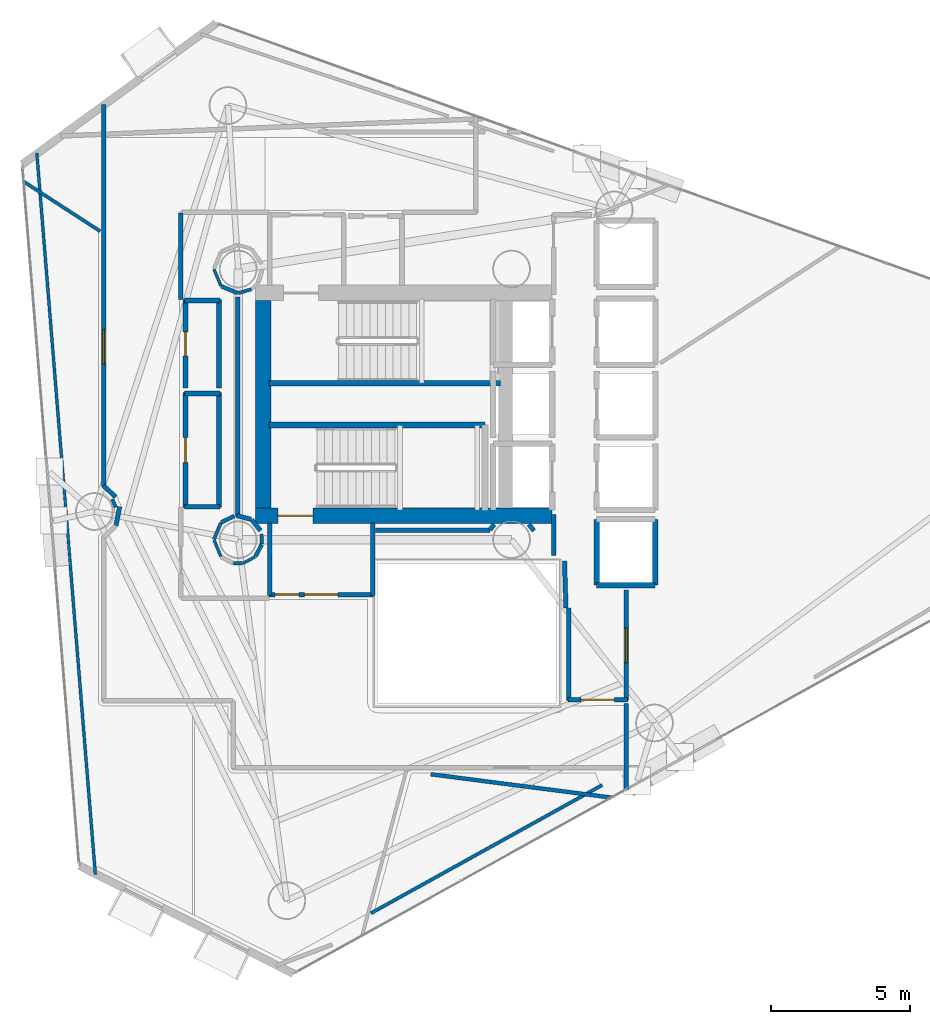
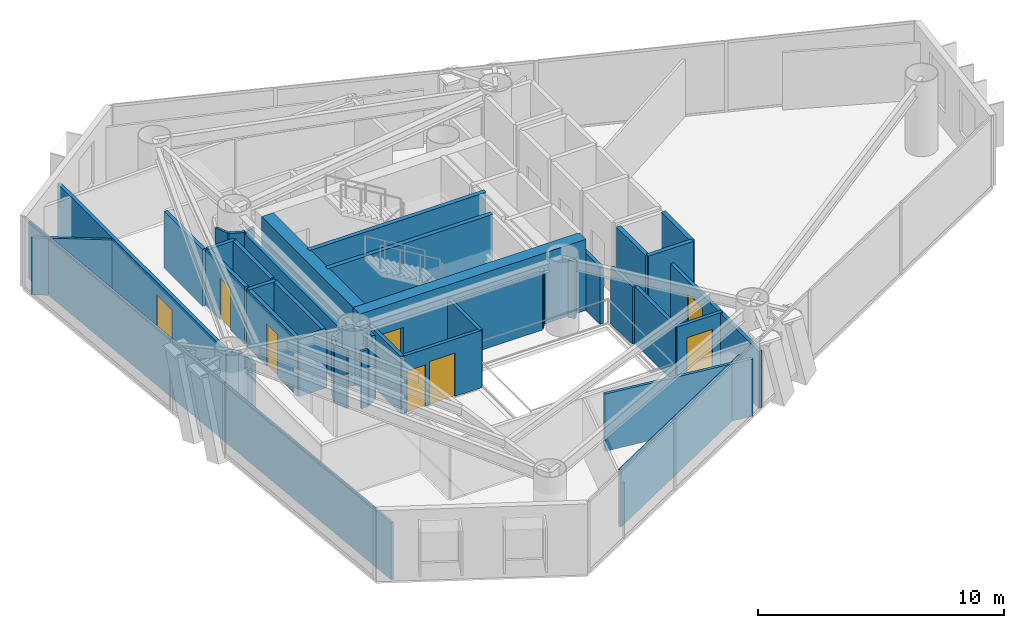
# One storey, part 18 of 21: 48 walls, 8 doors, 8 openings.
"""IFC4 building model written with IfcOpenShell, lengths in metres."""

from ifc_helpers import new_model, si_unit, direction, frame, frame_2d, origin, place, context, subcontext, project, spatial, rectangle, extrude, material, layer, layer_set, type_object, element, fill, save


model = new_model("IFC4")

# Units and contexts
model_context = context("Model", 3, precision=1e-05, world=origin(), true_north=direction((0.0, 1.0)))
body_context = subcontext(model_context, "Body", "Model", "MODEL_VIEW")
ifc_project = project(units=[si_unit("LENGTHUNIT", "METRE"), si_unit("AREAUNIT", "SQUARE_METRE"), si_unit("VOLUMEUNIT", "CUBIC_METRE"), si_unit("PLANEANGLEUNIT", "RADIAN"), si_unit("MASSUNIT", "GRAM", prefix="KILO")], contexts=[model_context])

# Site, building, storey
site_placement = place(None, origin())
site = spatial("IfcSite", under=ifc_project, at=site_placement, CompositionType="ELEMENT")
building_placement = place(site_placement, origin())
building = spatial("IfcBuilding", under=site, at=building_placement, Name="Qianvela Tower", CompositionType="ELEMENT")
storey_placement = place(building_placement, frame((0.0, 0.0, 166.10009765625)))
storey = spatial("IfcBuildingStorey", under=building, at=storey_placement, Name="L42", CompositionType="ELEMENT", Elevation=166.10009765625)

# Wall, opening, door
ifc_material_1 = material(Name="Concrete C60", Category="concrete")
ifc_layer_1 = layer(ifc_material_1, 0.550048828125)
ifc_layer_set_1 = layer_set([ifc_layer_1], Name="Concrete C60")
wall_type_1 = type_object("IfcWallType", Name="WT-CORE-550", PredefinedType="SHEAR", material=ifc_layer_set_1)
wall_1_placement = place(storey_placement, frame((29.22998046875, 24.705078125, 0.0), z_axis=(0.0, 0.0, 1.0), x_axis=(1.0, 0.0, 0.0)))
wall_1 = element("IfcWall", 1, at=wall_1_placement, inside=storey, type_object=wall_type_1, Name="L42 South Core Shear Wall", PredefinedType="SHEAR", context=body_context, shape_type="SweptSolid", body=[
    extrude(rectangle(XDim=10.6201171875, YDim=0.550048828125, at=frame_2d((5.31005859375, 0.0))), origin(), (0.0, 0.0, 1.0), 3.52001953125),
])
opening_1_placement = place(wall_1_placement, frame((0.794921875, 0.0, 0.0)))
opening_1 = element("IfcOpeningElement", 2, at=opening_1_placement, cuts=wall_1, Name="Opening D-ST1", PredefinedType="OPENING", context=body_context, shape_type="SweptSolid", body=[
    extrude(rectangle(XDim=1.25, YDim=2.14990234375, at=frame_2d((0.625, 1.074951171875))), frame((0.0, 0.284912109375, 0.0), z_axis=(0.0, -1.0, 0.0), x_axis=(1.0, 0.0, 0.0)), (0.0, 0.0, 1.0), 0.570068359375),
])
ifc_material_2 = material(Name="Galvanised Fire Steel Q355B", Category="steel")
door_type_1 = type_object("IfcDoorType", Name="DT-STAIR-FD90", OperationType="NOTDEFINED", PredefinedType="DOOR", material=ifc_material_2)
door_1_placement = place(opening_1_placement, origin())
door_1 = element("IfcDoor", 3, at=door_1_placement, inside=storey, type_object=door_type_1, Name="L42 Stair ST-2 Exit Door", OperationType="SINGLE_SWING_RIGHT", OverallHeight=2.14990234375, OverallWidth=1.25, PredefinedType="DOOR", context=body_context, shape_type="SweptSolid", body=[
    extrude(rectangle(XDim=1.25, YDim=2.14990234375, at=frame_2d((0.625, 1.074951171875))), frame((0.0, 0.02490234375, 0.0), z_axis=(0.0, -1.0, 0.0), x_axis=(1.0, 0.0, 0.0)), (0.0, 0.0, 1.0), 0.050048828125),
])
fill(opening_1, door_1)

# Wall
wall_2_placement = place(storey_placement, frame((29.5048828125, 24.97998046875, 0.0), z_axis=(0.0, 0.0, 1.0), x_axis=(0.0, 1.0, 0.0)))
element("IfcWall", 4, at=wall_2_placement, inside=storey, type_object=wall_type_1, Name="L42 West Core Shear Wall", PredefinedType="SHEAR", context=body_context, shape_type="SweptSolid", body=[
    extrude(rectangle(XDim=7.43994140625, YDim=0.550048828125, at=frame_2d((3.719970703125, 0.0))), origin(), (0.0, 0.0, 1.0), 3.52001953125),
])

# Wall, openings, doors
ifc_material_3 = material(Name="Fire-Rated Gypsum and Concrete Block", Category="concrete")
ifc_layer_2 = layer(ifc_material_3, 0.159912109375)
ifc_layer_set_2 = layer_set([ifc_layer_2], Name="Fire-Rated Gypsum and Concrete Block")
wall_type_2 = type_object("IfcWallType", Name="WT-CORR-160", PredefinedType="PARTITIONING", material=ifc_layer_set_2)
wall_3_placement = place(storey_placement, frame((33.449951171875, 21.881103515625, 0.0), z_axis=(0.0, 0.0, 1.0), x_axis=(-1.0, 0.0, 0.0)))
wall_3 = element("IfcWall", 5, at=wall_3_placement, inside=storey, type_object=wall_type_2, Name="L42 Partition 5", PredefinedType="PARTITIONING", context=body_context, shape_type="SweptSolid", body=[
    extrude(rectangle(XDim=3.75, YDim=0.159912109375, at=frame_2d((1.875, 0.0))), origin(), (0.0, 0.0, 1.0), 2.83984375),
])
opening_2_placement = place(wall_3_placement, frame((1.27490234375, 0.0, 0.0)))
opening_2 = element("IfcOpeningElement", 6, at=opening_2_placement, cuts=wall_3, Name="Opening D-LB1", PredefinedType="OPENING", context=body_context, shape_type="SweptSolid", body=[
    extrude(rectangle(XDim=1.199951171875, YDim=2.14990234375, at=frame_2d((0.60009765625, 1.074951171875))), frame((0.0, 0.08984375, 0.0), z_axis=(0.0, -1.0, 0.0), x_axis=(1.0, 0.0, 0.0)), (0.0, 0.0, 1.0), 0.179931640625),
])
opening_3_placement = place(wall_3_placement, frame((2.659912109375, 0.0, 0.0)))
opening_3 = element("IfcOpeningElement", 7, at=opening_3_placement, cuts=wall_3, Name="Opening D-LB2", PredefinedType="OPENING", context=body_context, shape_type="SweptSolid", body=[
    extrude(rectangle(XDim=0.860107421875, YDim=2.050048828125, at=frame_2d((0.43017578125, 1.02490234375))), frame((0.0, 0.08984375, 0.0), z_axis=(0.0, -1.0, 0.0), x_axis=(1.0, 0.0, 0.0)), (0.0, 0.0, 1.0), 0.179931640625),
])
ifc_material_4 = material(Name="Glazed Fire-Rated Steel Frame", Category="steel")
door_type_2 = type_object("IfcDoorType", Name="DT-LOBBY-FD90", OperationType="NOTDEFINED", PredefinedType="DOOR", material=ifc_material_4)
door_2_placement = place(opening_2_placement, origin())
door_2 = element("IfcDoor", 8, at=door_2_placement, inside=storey, type_object=door_type_2, Name="L42 Door L42 Firefighting Lobby South to L42 Floor Corridor", OperationType="SINGLE_SWING_LEFT", OverallHeight=2.14990234375, OverallWidth=1.199951171875, PredefinedType="DOOR", context=body_context, shape_type="SweptSolid", body=[
    extrude(rectangle(XDim=1.199951171875, YDim=2.14990234375, at=frame_2d((0.60009765625, 1.074951171875))), frame((0.0, 0.02490234375, 0.0), z_axis=(0.0, -1.0, 0.0), x_axis=(1.0, 0.0, 0.0)), (0.0, 0.0, 1.0), 0.050048828125),
])
fill(opening_2, door_2)
ifc_material_5 = material(Name="Insulated Steel Fire Door Q355B", Category="steel")
door_type_3 = type_object("IfcDoorType", Name="DT-LOBBY-FD90-860", OperationType="NOTDEFINED", PredefinedType="DOOR", material=ifc_material_5)
door_3_placement = place(opening_3_placement, origin())
door_3 = element("IfcDoor", 9, at=door_3_placement, inside=storey, type_object=door_type_3, Name="L42 Door L42 Firefighting Lobby South to L42 Floor Corridor", OperationType="SINGLE_SWING_LEFT", OverallHeight=2.050048828125, OverallWidth=0.860107421875, PredefinedType="DOOR", context=body_context, shape_type="SweptSolid", body=[
    extrude(rectangle(XDim=0.860107421875, YDim=2.050048828125, at=frame_2d((0.43017578125, 1.02490234375))), frame((0.0, 0.02490234375, 0.0), z_axis=(0.0, -1.0, 0.0), x_axis=(1.0, 0.0, 0.0)), (0.0, 0.0, 1.0), 0.050048828125),
])
fill(opening_3, door_3)

# Walls
for number, where, z_axis, x_axis, name in (
    (10, (29.73095703125, 21.85009765625, 0.0), (0.0, 0.0, 1.0), (0.0, 1.0, 0.0), "L42 Partition 6"),
    (11, (33.4189453125, 24.44189453125, 0.0), (0.0, 0.0, 1.0), (0.0, -1.0, 0.0), "L42 Partition 8"),
):
    element("IfcWall", number, at=place(storey_placement, frame(where, z_axis=z_axis, x_axis=x_axis)), inside=storey, type_object=wall_type_2, Name=name, PredefinedType="PARTITIONING", context=body_context, shape_type="SweptSolid", body=[
        extrude(rectangle(XDim=2.591796875, YDim=0.159912109375, at=frame_2d((1.2958984375, 0.0))), origin(), (0.0, 0.0, 1.0), 2.83984375),
    ])
wall_4_placement = place(storey_placement, frame((40.35107421875, 21.40087890625, 0.0), z_axis=(0.0, 0.0, 1.0), x_axis=(-0.031058045979, 0.999517582527, 0.0)))
element("IfcWall", 12, at=wall_4_placement, inside=storey, type_object=wall_type_2, Name="L42 Partition 9", PredefinedType="PARTITIONING", context=body_context, shape_type="SweptSolid", body=[
    extrude(rectangle(XDim=1.68212890625, YDim=0.159912109375, at=frame_2d((0.841064453125, 0.0))), origin(), (0.0, 0.0, 1.0), 2.83984375),
])
wall_5_placement = place(storey_placement, frame((39.910888671875, 23.280029296875, 0.0), z_axis=(0.0, 0.0, 1.0), x_axis=(0.0, 1.0, 0.0)))
element("IfcWall", 13, at=wall_5_placement, inside=storey, type_object=wall_type_2, Name="L42 Partition 10", PredefinedType="PARTITIONING", context=body_context, shape_type="SweptSolid", body=[
    extrude(rectangle(XDim=1.47998046875, YDim=0.159912109375, at=frame_2d((0.739990234375, 0.0))), origin(), (0.0, 0.0, 1.0), 2.83984375),
])

# Wall, opening, door
wall_6_placement = place(storey_placement, frame((42.51904296875, 22.050048828125, 0.0), z_axis=(0.0, 0.0, 1.0), x_axis=(0.0, -1.0, 0.0)))
wall_6 = element("IfcWall", 14, at=wall_6_placement, inside=storey, type_object=wall_type_2, Name="L42 Partition 17", PredefinedType="PARTITIONING", context=body_context, shape_type="SweptSolid", body=[
    extrude(rectangle(XDim=3.969970703125, YDim=0.159912109375, at=frame_2d((1.98486328125, 0.0))), origin(), (0.0, 0.0, 1.0), 2.83984375),
])
opening_4_placement = place(wall_6_placement, frame((1.360107421875, 0.0, 0.0)))
opening_4 = element("IfcOpeningElement", 15, at=opening_4_placement, cuts=wall_6, Name="Opening D-LG1", PredefinedType="OPENING", context=body_context, shape_type="SweptSolid", body=[
    extrude(rectangle(XDim=1.25, YDim=2.199951171875, at=frame_2d((0.625, 1.10009765625))), frame((0.0, 0.08984375, 0.0), z_axis=(0.0, -1.0, 0.0), x_axis=(1.0, 0.0, 0.0)), (0.0, 0.0, 1.0), 0.179931640625),
])
ifc_material_6 = material(Name="Anodised Aluminium Acoustic Glass Door", Category="aluminium")
door_type_4 = type_object("IfcDoorType", Name="DT-LOUNGE-1250", OperationType="NOTDEFINED", PredefinedType="DOOR", material=ifc_material_6)
door_4_placement = place(opening_4_placement, origin())
door_4 = element("IfcDoor", 16, at=door_4_placement, inside=storey, type_object=door_type_4, Name="L42 Door Project Huddle Conference L42-03 to L42 Lift Lobby", OperationType="SINGLE_SWING_RIGHT", OverallHeight=2.199951171875, OverallWidth=1.25, PredefinedType="DOOR", context=body_context, shape_type="SweptSolid", body=[
    extrude(rectangle(XDim=1.25, YDim=2.199951171875, at=frame_2d((0.625, 1.10009765625))), frame((0.0, 0.02490234375, 0.0), z_axis=(0.0, -1.0, 0.0), x_axis=(1.0, 0.0, 0.0)), (0.0, 0.0, 1.0), 0.050048828125),
])
fill(opening_4, door_4)

wall_7_placement = place(storey_placement, frame((42.550048828125, 18.111083984375, 0.0), z_axis=(0.0, 0.0, 1.0), x_axis=(-1.0, 0.0, 0.0)))
wall_7 = element("IfcWall", 17, at=wall_7_placement, inside=storey, type_object=wall_type_2, Name="L42 Partition 18", PredefinedType="PARTITIONING", context=body_context, shape_type="SweptSolid", body=[
    extrude(rectangle(XDim=2.130126953125, YDim=0.159912109375, at=frame_2d((1.06494140625, 0.0))), origin(), (0.0, 0.0, 1.0), 2.83984375),
])
opening_5_placement = place(wall_7_placement, frame((0.465087890625, 0.0, 0.0)))
opening_5 = element("IfcOpeningElement", 18, at=opening_5_placement, cuts=wall_7, Name="Opening D-LB1", PredefinedType="OPENING", context=body_context, shape_type="SweptSolid", body=[
    extrude(rectangle(XDim=1.199951171875, YDim=2.14990234375, at=frame_2d((0.60009765625, 1.074951171875))), frame((0.0, 0.08984375, 0.0), z_axis=(0.0, -1.0, 0.0), x_axis=(1.0, 0.0, 0.0)), (0.0, 0.0, 1.0), 0.179931640625),
])
door_5_placement = place(opening_5_placement, origin())
door_5 = element("IfcDoor", 19, at=door_5_placement, inside=storey, type_object=door_type_2, Name="L42 Door L42 Lift Lobby to L42 Floor Corridor", OperationType="SINGLE_SWING_RIGHT", OverallHeight=2.14990234375, OverallWidth=1.199951171875, PredefinedType="DOOR", context=body_context, shape_type="SweptSolid", body=[
    extrude(rectangle(XDim=1.199951171875, YDim=2.14990234375, at=frame_2d((0.60009765625, 1.074951171875))), frame((0.0, 0.02490234375, 0.0), z_axis=(0.0, -1.0, 0.0), x_axis=(1.0, 0.0, 0.0)), (0.0, 0.0, 1.0), 0.050048828125),
])
fill(opening_5, door_5)

# Walls
wall_8_placement = place(storey_placement, frame((40.450927734375, 18.080078125, 0.0), z_axis=(0.0, 0.0, 1.0), x_axis=(0.0, 1.0, 0.0)))
element("IfcWall", 20, at=wall_8_placement, inside=storey, type_object=wall_type_2, Name="L42 Partition 19 seg 1", PredefinedType="PARTITIONING", context=body_context, shape_type="SweptSolid", body=[
    extrude(rectangle(XDim=3.31982421875, YDim=0.159912109375, at=frame_2d((1.659912109375, 0.0))), origin(), (0.0, 0.0, 1.0), 2.83984375),
])
wall_9_placement = place(storey_placement, frame((29.401611328125, 24.169189453125, 0.0), z_axis=(0.0, 0.0, 1.0), x_axis=(-0.622091855036, 0.782944266151, 0.0)))
element("IfcWall", 21, at=wall_9_placement, inside=storey, type_object=wall_type_2, Name="L42 Partition 36", PredefinedType="PARTITIONING", context=body_context, shape_type="SweptSolid", body=[
    extrude(rectangle(XDim=0.50390625, YDim=0.159912109375, at=frame_2d((0.251953125, 0.0))), origin(), (0.0, 0.0, 1.0), 2.83984375),
])
wall_10_placement = place(storey_placement, frame((29.07177734375, 24.57421875, 0.0), z_axis=(0.0, 0.0, 1.0), x_axis=(-0.966842101769, 0.255374920942, 0.0)))
element("IfcWall", 22, at=wall_10_placement, inside=storey, type_object=wall_type_2, Name="L42 Partition 37", PredefinedType="PARTITIONING", context=body_context, shape_type="SweptSolid", body=[
    extrude(rectangle(XDim=0.531494140625, YDim=0.159912109375, at=frame_2d((0.265625, 0.0))), origin(), (0.0, 0.0, 1.0), 2.83984375),
])
wall_11_placement = place(storey_placement, frame((28.5810546875, 24.68017578125, 0.0), z_axis=(0.0, 0.0, 1.0), x_axis=(0.0, 1.0, 0.0)))
element("IfcWall", 23, at=wall_11_placement, inside=storey, type_object=wall_type_2, Name="L42 Partition 38", PredefinedType="PARTITIONING", context=body_context, shape_type="SweptSolid", body=[
    extrude(rectangle(XDim=7.869873046875, YDim=0.159912109375, at=frame_2d((3.93505859375, 0.0))), origin(), (0.0, 0.0, 1.0), 2.83984375),
])
wall_12_placement = place(storey_placement, frame((39.20166015625, 24.169189453125, 0.0), z_axis=(0.0, 0.0, 1.0), x_axis=(-0.621699046284, 0.783256213413, 0.0)))
element("IfcWall", 24, at=wall_12_placement, inside=storey, type_object=wall_type_2, Name="L42 Partition 43", PredefinedType="PARTITIONING", context=body_context, shape_type="SweptSolid", body=[
    extrude(rectangle(XDim=0.28857421875, YDim=0.159912109375, at=frame_2d((0.144287109375, 0.0))), origin(), (0.0, 0.0, 1.0), 2.83984375),
])
wall_13_placement = place(storey_placement, frame((37.77783203125, 24.395263671875, 0.0), z_axis=(0.0, 0.0, 1.0), x_axis=(-0.621829236437, -0.783152859097, 0.0)))
element("IfcWall", 25, at=wall_13_placement, inside=storey, type_object=wall_type_2, Name="L42 Partition 46", PredefinedType="PARTITIONING", context=body_context, shape_type="SweptSolid", body=[
    extrude(rectangle(XDim=0.249755859375, YDim=0.159912109375, at=frame_2d((0.125, 0.0))), origin(), (0.0, 0.0, 1.0), 2.83984375),
])
wall_14_placement = place(storey_placement, frame((37.62255859375, 24.180908203125, 0.0), z_axis=(0.0, 0.0, 1.0), x_axis=(-1.0, 0.0, 0.0)))
element("IfcWall", 26, at=wall_14_placement, inside=storey, type_object=wall_type_2, Name="L42 Partition 47", PredefinedType="PARTITIONING", context=body_context, shape_type="SweptSolid", body=[
    extrude(rectangle(XDim=4.092529296875, YDim=0.159912109375, at=frame_2d((2.04638671875, 0.0))), origin(), (0.0, 0.0, 1.0), 2.83984375),
])
wall_15_placement = place(storey_placement, frame((24.211181640625, 25.37890625, 0.0), z_axis=(0.0, 0.0, 1.0), x_axis=(-0.735475561179, 0.677551251868, 0.0)))
element("IfcWall", 27, at=wall_15_placement, inside=storey, type_object=wall_type_2, Name="L42 Partition 48", PredefinedType="PARTITIONING", context=body_context, shape_type="SweptSolid", body=[
    extrude(rectangle(XDim=0.598388671875, YDim=0.159912109375, at=frame_2d((0.29931640625, 0.0))), origin(), (0.0, 0.0, 1.0), 2.83984375),
])

# Wall, opening, door
wall_16_placement = place(storey_placement, frame((23.781005859375, 25.76171875, 0.0), z_axis=(0.0, 0.0, 1.0), x_axis=(0.0, 1.0, 0.0)))
wall_16 = element("IfcWall", 28, at=wall_16_placement, inside=storey, type_object=wall_type_2, Name="L42 Partition 49", PredefinedType="PARTITIONING", context=body_context, shape_type="SweptSolid", body=[
    extrude(rectangle(XDim=13.68798828125, YDim=0.159912109375, at=frame_2d((6.843994140625, 0.0))), origin(), (0.0, 0.0, 1.0), 2.83984375),
])
opening_6_placement = place(wall_16_placement, frame((4.370849609375, 0.0, 0.0)))
opening_6 = element("IfcOpeningElement", 29, at=opening_6_placement, cuts=wall_16, Name="Opening D-LG1", PredefinedType="OPENING", context=body_context, shape_type="SweptSolid", body=[
    extrude(rectangle(XDim=1.25, YDim=2.199951171875, at=frame_2d((0.625, 1.10009765625))), frame((0.0, 0.08984375, 0.0), z_axis=(0.0, -1.0, 0.0), x_axis=(1.0, 0.0, 0.0)), (0.0, 0.0, 1.0), 0.179931640625),
])
door_6_placement = place(opening_6_placement, origin())
door_6 = element("IfcDoor", 30, at=door_6_placement, inside=storey, type_object=door_type_4, Name="L42 Door Graduate Seminar Classroom L42-01 to L42 Floor Corridor", OperationType="SINGLE_SWING_RIGHT", OverallHeight=2.199951171875, OverallWidth=1.25, PredefinedType="DOOR", context=body_context, shape_type="SweptSolid", body=[
    extrude(rectangle(XDim=1.25, YDim=2.199951171875, at=frame_2d((0.625, 1.10009765625))), frame((0.0, 0.02490234375, 0.0), z_axis=(0.0, -1.0, 0.0), x_axis=(1.0, 0.0, 0.0)), (0.0, 0.0, 1.0), 0.050048828125),
])
fill(opening_6, door_6)

# Walls
wall_17_placement = place(storey_placement, frame((26.549072265625, 35.56005859375, 0.0), z_axis=(0.0, 0.0, 1.0), x_axis=(0.0, -1.0, 0.0)))
element("IfcWall", 31, at=wall_17_placement, inside=storey, type_object=wall_type_2, Name="L42 Partition 53 seg 1", PredefinedType="PARTITIONING", context=body_context, shape_type="SweptSolid", body=[
    extrude(rectangle(XDim=3.110107421875, YDim=0.159912109375, at=frame_2d((1.55517578125, 0.0))), origin(), (0.0, 0.0, 1.0), 2.83984375),
])
wall_18_placement = place(storey_placement, frame((42.51904296875, 17.97998046875, 0.0), z_axis=(0.0, 0.0, 1.0), x_axis=(0.0, -1.0, 0.0)))
element("IfcWall", 32, at=wall_18_placement, inside=storey, type_object=wall_type_2, Name="L42 Partition 56 seg 1", PredefinedType="PARTITIONING", context=body_context, shape_type="SweptSolid", body=[
    extrude(rectangle(XDim=3.095458984375, YDim=0.159912109375, at=frame_2d((1.5478515625, 0.0))), origin(), (0.0, 0.0, 1.0), 2.83984375),
])
wall_19_placement = place(storey_placement, frame((24.220703125, 24.355712890625, 0.0), z_axis=(0.0, 0.0, 1.0), x_axis=(0.19495084259, 0.980813014276, 0.0)))
element("IfcWall", 33, at=wall_19_placement, inside=storey, type_object=wall_type_2, Name="L42 Partition 62", PredefinedType="PARTITIONING", context=body_context, shape_type="SweptSolid", body=[
    extrude(rectangle(XDim=0.68505859375, YDim=0.159912109375, at=frame_2d((0.342529296875, 0.0))), origin(), (0.0, 0.0, 1.0), 2.83984375),
])
ifc_material_7 = material(Name="Lightweight Gypsum Room Partition")
ifc_layer_3 = layer(ifc_material_7, 0.10498046875)
ifc_layer_set_3 = layer_set([ifc_layer_3], Name="Lightweight Gypsum Room Partition")
wall_type_3 = type_object("IfcWallType", Name="WT-PART-105", PredefinedType="PARTITIONING", material=ifc_layer_set_3)
wall_20_placement = place(storey_placement, frame((23.48291015625, 11.8466796875, 0.0), z_axis=(0.0, 0.0, 1.0), x_axis=(-0.080903032821, 0.996721976923, 0.0)))
element("IfcWall", 34, at=wall_20_placement, inside=storey, type_object=wall_type_3, Name="L42 Partition 76", PredefinedType="PARTITIONING", context=body_context, shape_type="SweptSolid", body=[
    extrude(rectangle(XDim=25.946044921875, YDim=0.10498046875, at=frame_2d((12.97314453125, 0.0))), origin(), (0.0, 0.0, 1.0), 2.83984375),
])
for number, where, z_axis, x_axis, name in (
    (35, (27.736328125, 33.5380859375, 0.0), (0.0, 0.0, 1.0), (0.382824178437, -0.923821221018, 0.0), "L42 Partition 115"),
    (36, (27.736328125, 23.838134765625, 0.0), (0.0, 0.0, 1.0), (0.382824178437, -0.923821221018, 0.0), "L42 Partition 124"),
):
    element("IfcWall", number, at=place(storey_placement, frame(where, z_axis=z_axis, x_axis=x_axis)), inside=storey, type_object=wall_type_3, Name=name, PredefinedType="PARTITIONING", context=body_context, shape_type="SweptSolid", body=[
        extrude(rectangle(XDim=0.638916015625, YDim=0.10498046875, at=frame_2d((0.3193359375, 0.0))), origin(), (0.0, 0.0, 1.0), 2.83984375),
    ])
wall_21_placement = place(storey_placement, frame((28.777587890625, 23.003662109375, 0.0), z_axis=(0.0, 0.0, 1.0), x_axis=(0.88190639713, 0.471424550379, 0.0)))
element("IfcWall", 37, at=wall_21_placement, inside=storey, type_object=wall_type_3, Name="L42 Partition 127", PredefinedType="PARTITIONING", context=body_context, shape_type="SweptSolid", body=[
    extrude(rectangle(XDim=0.484619140625, YDim=0.10498046875, at=frame_2d((0.2421875, 0.0))), origin(), (0.0, 0.0, 1.0), 2.83984375),
])
ifc_material_8 = material(Name="Insulated Gypsum Stud Partition")
ifc_layer_4 = layer(ifc_material_8, 0.1201171875)
ifc_layer_set_4 = layer_set([ifc_layer_4], Name="Insulated Gypsum Stud Partition")
wall_type_4 = type_object("IfcWallType", Name="WT-PART-120", PredefinedType="PARTITIONING", material=ifc_layer_set_4)
wall_22_placement = place(storey_placement, frame((20.8974609375, 36.69482421875, 0.0), z_axis=(0.0, 0.0, 1.0), x_axis=(0.838665935268, -0.544646168647, 0.0)))
element("IfcWall", 38, at=wall_22_placement, inside=storey, type_object=wall_type_4, Name="L42 Partition 63", PredefinedType="PARTITIONING", context=body_context, shape_type="SweptSolid", body=[
    extrude(rectangle(XDim=3.28564453125, YDim=0.1201171875, at=frame_2d((1.642822265625, 0.0))), origin(), (0.0, 0.0, 1.0), 2.83984375),
])
wall_23_placement = place(storey_placement, frame((24.09228515625, 25.302734375, 0.0), z_axis=(0.0, 0.0, 1.0), x_axis=(0.38223992348, -0.924063115213, 0.0)))
element("IfcWall", 39, at=wall_23_placement, inside=storey, type_object=wall_type_4, Name="L42 Partition 66", PredefinedType="PARTITIONING", context=body_context, shape_type="SweptSolid", body=[
    extrude(rectangle(XDim=0.3212890625, YDim=0.1201171875, at=frame_2d((0.16064453125, 0.0))), origin(), (0.0, 0.0, 1.0), 2.83984375),
])
wall_24_placement = place(storey_placement, frame((41.652099609375, 15.053955078125, 0.0), z_axis=(0.0, 0.0, 1.0), x_axis=(-0.874683741707, -0.484694080832, 0.0)))
element("IfcWall", 40, at=wall_24_placement, inside=storey, type_object=wall_type_4, Name="L42 Partition 78", PredefinedType="PARTITIONING", context=body_context, shape_type="SweptSolid", body=[
    extrude(rectangle(XDim=9.484130859375, YDim=0.1201171875, at=frame_2d((4.7421875, 0.0))), origin(), (0.0, 0.0, 1.0), 2.83984375),
])
wall_25_placement = place(storey_placement, frame((28.60888671875, 32.685302734375, 0.0), z_axis=(0.0, 0.0, 1.0), x_axis=(0.956893067978, 0.290440452511, 0.0)))
element("IfcWall", 41, at=wall_25_placement, inside=storey, type_object=wall_type_4, Name="L42 Partition 117", PredefinedType="PARTITIONING", context=body_context, shape_type="SweptSolid", body=[
    extrude(rectangle(XDim=0.485107421875, YDim=0.1201171875, at=frame_2d((0.24267578125, 0.0))), origin(), (0.0, 0.0, 1.0), 2.83984375),
])
wall_26_placement = place(storey_placement, frame((27.98095703125, 24.452392578125, 0.0), z_axis=(0.0, 0.0, 1.0), x_axis=(-0.38268910224, -0.923877183952, 0.0)))
element("IfcWall", 42, at=wall_26_placement, inside=storey, type_object=wall_type_4, Name="L42 Partition 123", PredefinedType="PARTITIONING", context=body_context, shape_type="SweptSolid", body=[
    extrude(rectangle(XDim=0.63916015625, YDim=0.1201171875, at=frame_2d((0.319580078125, 0.0))), origin(), (0.0, 0.0, 1.0), 2.83984375),
])
wall_27_placement = place(storey_placement, frame((28.43701171875, 23.0, 0.0), z_axis=(0.0, 0.0, 1.0), x_axis=(1.0, 0.0, 0.0)))
element("IfcWall", 43, at=wall_27_placement, inside=storey, type_object=wall_type_4, Name="L42 Partition 126", PredefinedType="PARTITIONING", context=body_context, shape_type="SweptSolid", body=[
    extrude(rectangle(XDim=0.325927734375, YDim=0.1201171875, at=frame_2d((0.1630859375, 0.0))), origin(), (0.0, 0.0, 1.0), 2.83984375),
])
wall_28_placement = place(storey_placement, frame((29.449951171875, 23.68798828125, 0.0), z_axis=(0.0, 0.0, 1.0), x_axis=(-0.030919976938, 0.999521863206, 0.0)))
element("IfcWall", 44, at=wall_28_placement, inside=storey, type_object=wall_type_4, Name="L42 Partition 129", PredefinedType="PARTITIONING", context=body_context, shape_type="SweptSolid", body=[
    extrude(rectangle(XDim=0.36328125, YDim=0.1201171875, at=frame_2d((0.181640625, 0.0))), origin(), (0.0, 0.0, 1.0), 2.83984375),
])

# Wall, opening, door
ifc_material_9 = material(Name="Moisture-Resistant Acoustic Plumbing Wall")
ifc_layer_5 = layer(ifc_material_9, 0.175048828125)
ifc_layer_set_5 = layer_set([ifc_layer_5], Name="Moisture-Resistant Acoustic Plumbing Wall")
wall_type_5 = type_object("IfcWallType", Name="WT-PLUMB-175", PredefinedType="PLUMBINGWALL", material=ifc_layer_set_5)
wall_29_placement = place(storey_placement, frame((26.7109375, 25.0, 0.0), z_axis=(0.0, 0.0, 1.0), x_axis=(0.0, 1.0, 0.0)))
wall_29 = element("IfcWall", 45, at=wall_29_placement, inside=storey, type_object=wall_type_5, Name="L42 Partition 24", PredefinedType="PLUMBINGWALL", context=body_context, shape_type="SweptSolid", body=[
    extrude(rectangle(XDim=4.1201171875, YDim=0.175048828125, at=frame_2d((2.06005859375, 0.0))), origin(), (0.0, 0.0, 1.0), 2.83984375),
])
opening_7_placement = place(wall_29_placement, frame((1.610107421875, 0.0, 0.0)))
opening_7 = element("IfcOpeningElement", 46, at=opening_7_placement, cuts=wall_29, Name="Opening D-KT1", PredefinedType="OPENING", context=body_context, shape_type="SweptSolid", body=[
    extrude(rectangle(XDim=0.89990234375, YDim=2.10009765625, at=frame_2d((0.449951171875, 1.050048828125))), frame((0.0, 0.097412109375, 0.0), z_axis=(0.0, -1.0, 0.0), x_axis=(1.0, 0.0, 0.0)), (0.0, 0.0, 1.0), 0.195068359375),
])
ifc_material_10 = material(Name="Glazed Timber Kitchen Door", Category="wood")
door_type_5 = type_object("IfcDoorType", Name="DT-KITCH-900", OperationType="NOTDEFINED", PredefinedType="DOOR", material=ifc_material_10)
door_7_placement = place(opening_7_placement, origin())
door_7 = element("IfcDoor", 47, at=door_7_placement, inside=storey, type_object=door_type_5, Name="L42 Door L42 Core Tea Pantry West to L42 Floor Corridor", OperationType="SINGLE_SWING_RIGHT", OverallHeight=2.10009765625, OverallWidth=0.89990234375, PredefinedType="DOOR", context=body_context, shape_type="SweptSolid", body=[
    extrude(rectangle(XDim=0.89990234375, YDim=2.10009765625, at=frame_2d((0.449951171875, 1.050048828125))), frame((0.0, 0.02490234375, 0.0), z_axis=(0.0, -1.0, 0.0), x_axis=(1.0, 0.0, 0.0)), (0.0, 0.0, 1.0), 0.050048828125),
])
fill(opening_7, door_7)

# Walls
wall_30_placement = place(storey_placement, frame((26.679931640625, 29.089111328125, 0.0), z_axis=(0.0, 0.0, 1.0), x_axis=(1.0, 0.0, 0.0)))
element("IfcWall", 48, at=wall_30_placement, inside=storey, type_object=wall_type_5, Name="L42 Partition 25", PredefinedType="PLUMBINGWALL", context=body_context, shape_type="SweptSolid", body=[
    extrude(rectangle(XDim=1.27001953125, YDim=0.175048828125, at=frame_2d((0.635009765625, 0.0))), origin(), (0.0, 0.0, 1.0), 2.83984375),
])
wall_31_placement = place(storey_placement, frame((27.9189453125, 29.1201171875, 0.0), z_axis=(0.0, 0.0, 1.0), x_axis=(0.0, -1.0, 0.0)))
element("IfcWall", 49, at=wall_31_placement, inside=storey, type_object=wall_type_5, Name="L42 Partition 26", PredefinedType="PLUMBINGWALL", context=body_context, shape_type="SweptSolid", body=[
    extrude(rectangle(XDim=4.1201171875, YDim=0.175048828125, at=frame_2d((2.06005859375, 0.0))), origin(), (0.0, 0.0, 1.0), 2.83984375),
])
wall_32_placement = place(storey_placement, frame((27.949951171875, 25.031005859375, 0.0), z_axis=(0.0, 0.0, 1.0), x_axis=(-1.0, 0.0, 0.0)))
element("IfcWall", 50, at=wall_32_placement, inside=storey, type_object=wall_type_5, Name="L42 Partition 27", PredefinedType="PLUMBINGWALL", context=body_context, shape_type="SweptSolid", body=[
    extrude(rectangle(XDim=1.27001953125, YDim=0.175048828125, at=frame_2d((0.635009765625, 0.0))), origin(), (0.0, 0.0, 1.0), 2.83984375),
])

# Wall, opening, door
wall_33_placement = place(storey_placement, frame((26.7109375, 29.280029296875, 0.0), z_axis=(0.0, 0.0, 1.0), x_axis=(0.0, 1.0, 0.0)))
wall_33 = element("IfcWall", 51, at=wall_33_placement, inside=storey, type_object=wall_type_5, Name="L42 Partition 28", PredefinedType="PLUMBINGWALL", context=body_context, shape_type="SweptSolid", body=[
    extrude(rectangle(XDim=3.169921875, YDim=0.175048828125, at=frame_2d((1.5849609375, 0.0))), origin(), (0.0, 0.0, 1.0), 2.83984375),
])
opening_8_placement = place(wall_33_placement, frame((1.155029296875, 0.0, 0.0)))
opening_8 = element("IfcOpeningElement", 52, at=opening_8_placement, cuts=wall_33, Name="Opening D-WC1", PredefinedType="OPENING", context=body_context, shape_type="SweptSolid", body=[
    extrude(rectangle(XDim=0.860107421875, YDim=2.050048828125, at=frame_2d((0.43017578125, 1.02490234375))), frame((0.0, 0.097412109375, 0.0), z_axis=(0.0, -1.0, 0.0), x_axis=(1.0, 0.0, 0.0)), (0.0, 0.0, 1.0), 0.195068359375),
])
ifc_material_11 = material(Name="Moisture-Sealed Acoustic Timber Door", Category="wood")
door_type_6 = type_object("IfcDoorType", Name="DT-WC-860", OperationType="NOTDEFINED", PredefinedType="DOOR", material=ifc_material_11)
door_8_placement = place(opening_8_placement, origin())
door_8 = element("IfcDoor", 53, at=door_8_placement, inside=storey, type_object=door_type_6, Name="L42 Door L42 Accessible WC to L42 Floor Corridor", OperationType="SINGLE_SWING_LEFT", OverallHeight=2.050048828125, OverallWidth=0.860107421875, PredefinedType="DOOR", context=body_context, shape_type="SweptSolid", body=[
    extrude(rectangle(XDim=0.860107421875, YDim=2.050048828125, at=frame_2d((0.43017578125, 1.02490234375))), frame((0.0, 0.02490234375, 0.0), z_axis=(0.0, -1.0, 0.0), x_axis=(1.0, 0.0, 0.0)), (0.0, 0.0, 1.0), 0.050048828125),
])
fill(opening_8, door_8)

# Walls
wall_34_placement = place(storey_placement, frame((26.679931640625, 32.4189453125, 0.0), z_axis=(0.0, 0.0, 1.0), x_axis=(1.0, 0.0, 0.0)))
element("IfcWall", 54, at=wall_34_placement, inside=storey, type_object=wall_type_5, Name="L42 Partition 29", PredefinedType="PLUMBINGWALL", context=body_context, shape_type="SweptSolid", body=[
    extrude(rectangle(XDim=1.27001953125, YDim=0.175048828125, at=frame_2d((0.635009765625, 0.0))), origin(), (0.0, 0.0, 1.0), 2.83984375),
])
wall_35_placement = place(storey_placement, frame((27.9189453125, 32.449951171875, 0.0), z_axis=(0.0, 0.0, 1.0), x_axis=(0.0, -1.0, 0.0)))
element("IfcWall", 55, at=wall_35_placement, inside=storey, type_object=wall_type_5, Name="L42 Partition 30", PredefinedType="PLUMBINGWALL", context=body_context, shape_type="SweptSolid", body=[
    extrude(rectangle(XDim=3.169921875, YDim=0.175048828125, at=frame_2d((1.5849609375, 0.0))), origin(), (0.0, 0.0, 1.0), 2.83984375),
])
ifc_material_12 = material(Name="Acoustic Double Gypsum Stud Partition")
ifc_layer_6 = layer(ifc_material_12, 0.139892578125)
ifc_layer_set_6 = layer_set([ifc_layer_6], Name="Acoustic Double Gypsum Stud Partition")
wall_type_6 = type_object("IfcWallType", Name="WT-ROOM-140", PredefinedType="PARTITIONING", material=ifc_layer_set_6)
wall_36_placement = place(storey_placement, frame((35.50634765625, 15.44091796875, 0.0), z_axis=(0.0, 0.0, 1.0), x_axis=(0.991738600058, -0.128275286609, 0.0)))
element("IfcWall", 56, at=wall_36_placement, inside=storey, type_object=wall_type_6, Name="L42 Partition 77 seg 1", PredefinedType="PARTITIONING", context=body_context, shape_type="SweptSolid", body=[
    extrude(rectangle(XDim=6.5244140625, YDim=0.139892578125, at=frame_2d((3.26220703125, 0.0))), origin(), (0.0, 0.0, 1.0), 2.83984375),
])
wall_37_placement = place(storey_placement, frame((27.997802734375, 32.930908203125, 0.0), z_axis=(0.0, 0.0, 1.0), x_axis=(0.923821221018, -0.382824178437, 0.0)))
element("IfcWall", 57, at=wall_37_placement, inside=storey, type_object=wall_type_6, Name="L42 Partition 116", PredefinedType="PARTITIONING", context=body_context, shape_type="SweptSolid", body=[
    extrude(rectangle(XDim=0.638916015625, YDim=0.139892578125, at=frame_2d((0.3193359375, 0.0))), origin(), (0.0, 0.0, 1.0), 2.83984375),
])
wall_38_placement = place(storey_placement, frame((28.465576171875, 24.700927734375, 0.0), z_axis=(0.0, 0.0, 1.0), x_axis=(-0.896097594631, -0.4438570726, 0.0)))
element("IfcWall", 58, at=wall_38_placement, inside=storey, type_object=wall_type_6, Name="L42 Partition 122", PredefinedType="PARTITIONING", context=body_context, shape_type="SweptSolid", body=[
    extrude(rectangle(XDim=0.524169921875, YDim=0.139892578125, at=frame_2d((0.26220703125, 0.0))), origin(), (0.0, 0.0, 1.0), 2.83984375),
])
wall_39_placement = place(storey_placement, frame((29.2177734375, 23.2451171875, 0.0), z_axis=(0.0, 0.0, 1.0), x_axis=(0.471424550379, 0.88190639713, 0.0)))
element("IfcWall", 59, at=wall_39_placement, inside=storey, type_object=wall_type_6, Name="L42 Partition 128", PredefinedType="PARTITIONING", context=body_context, shape_type="SweptSolid", body=[
    extrude(rectangle(XDim=0.484619140625, YDim=0.139892578125, at=frame_2d((0.2421875, 0.0))), origin(), (0.0, 0.0, 1.0), 2.83984375),
])
ifc_material_13 = material(Name="Concrete C50", Category="concrete")
ifc_layer_7 = layer(ifc_material_13, 0.199951171875)
ifc_layer_set_7 = layer_set([ifc_layer_7], Name="Concrete C50")
wall_type_7 = type_object("IfcWallType", Name="WT-SHAFT-200", PredefinedType="SOLIDWALL", material=ifc_layer_set_7)
wall_40_placement = place(storey_placement, frame((29.699951171875, 29.449951171875, 0.0), z_axis=(0.0, 0.0, 1.0), x_axis=(1.0, 0.0, 0.0)))
element("IfcWall", 60, at=wall_40_placement, inside=storey, type_object=wall_type_7, Name="L42 Stair ST-1 South Wall", PredefinedType="SOLIDWALL", context=body_context, shape_type="SweptSolid", body=[
    extrude(rectangle(XDim=8.300048828125, YDim=0.199951171875, at=frame_2d((4.14990234375, 0.0))), origin(), (0.0, 0.0, 1.0), 3.52001953125),
])
wall_41_placement = place(storey_placement, frame((29.699951171875, 27.9599609375, 0.0), z_axis=(0.0, 0.0, 1.0), x_axis=(1.0, 0.0, 0.0)))
element("IfcWall", 61, at=wall_41_placement, inside=storey, type_object=wall_type_7, Name="L42 Stair ST-2 North Wall", PredefinedType="SOLIDWALL", context=body_context, shape_type="SweptSolid", body=[
    extrude(rectangle(XDim=7.75, YDim=0.199951171875, at=frame_2d((3.875, 0.0))), origin(), (0.0, 0.0, 1.0), 3.52001953125),
])
for number, where, z_axis, x_axis, name in (
    (62, (43.550048828125, 22.219970703125, 0.0), (0.0, 0.0, 1.0), (0.0, 1.0, 0.0), "L42 Lift PL-H2 E Shaft Wall"),
    (63, (41.449951171875, 22.219970703125, 0.0), (0.0, 0.0, 1.0), (0.0, 1.0, 0.0), "L42 Lift PL-H2 W Shaft Wall"),
):
    element("IfcWall", number, at=place(storey_placement, frame(where, z_axis=z_axis, x_axis=x_axis)), inside=storey, type_object=wall_type_7, Name=name, PredefinedType="SOLIDWALL", context=body_context, shape_type="SweptSolid", body=[
        extrude(rectangle(XDim=2.360107421875, YDim=0.199951171875, at=frame_2d((1.18017578125, 0.0))), origin(), (0.0, 0.0, 1.0), 3.52001953125),
    ])
wall_42_placement = place(storey_placement, frame((41.449951171875, 22.219970703125, 0.0), z_axis=(0.0, 0.0, 1.0), x_axis=(1.0, 0.0, 0.0)))
element("IfcWall", 64, at=wall_42_placement, inside=storey, type_object=wall_type_7, Name="L42 Lift PL-H2 S Shaft Wall", PredefinedType="SOLIDWALL", context=body_context, shape_type="SweptSolid", body=[
    extrude(rectangle(XDim=2.10009765625, YDim=0.199951171875, at=frame_2d((1.050048828125, 0.0))), origin(), (0.0, 0.0, 1.0), 3.52001953125),
])

save(model, "model.ifc")
